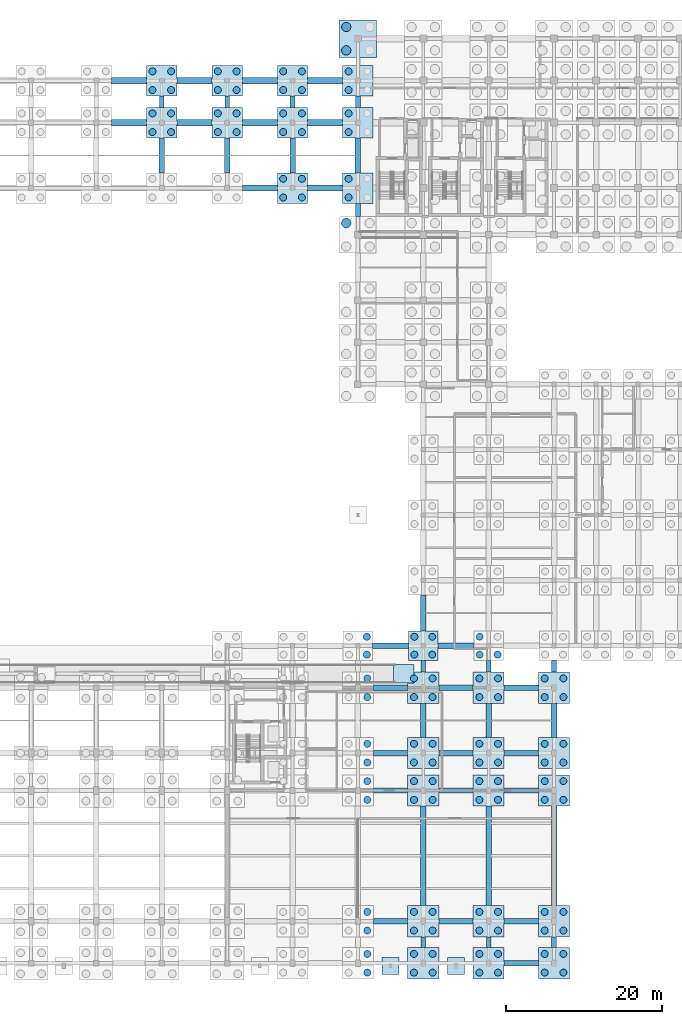
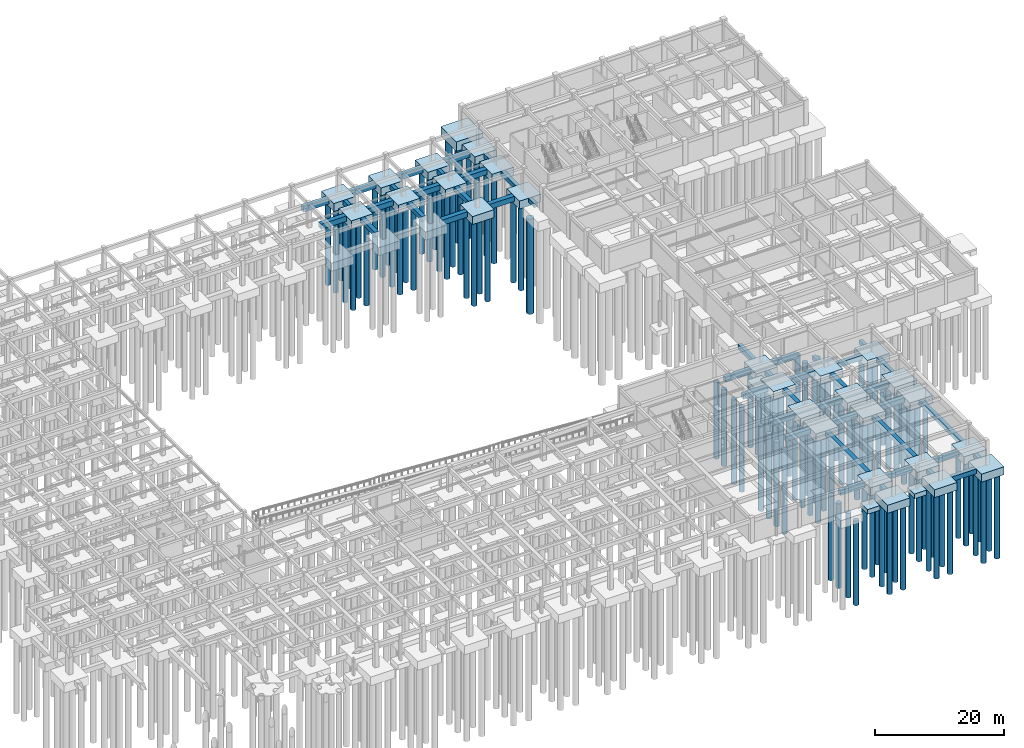
# One storey, part 7 of 49: 116 piles, 77 footings.
"""IFC4 building model written with IfcOpenShell, lengths in metres."""

import ifcopenshell
import ifcopenshell.guid

model = None  # the IFC model being written
_history = None  # IfcOwnerHistory: only IFC2X3 demands one
_inside = {}  # id of a spatial element -> (the spatial element, [elements in it])
_under = {}  # id of a project, library or spatial element -> (it, [spatial elements below it])
_declared = {}  # id of a project -> (the project, [libraries it declares])
_typed = {}  # id of a type object -> (the type object, [elements of that type])
_made_of = {}  # id of a material, layer set ... -> (it, [elements and type objects made of it])


def new_model(schema):
    """Start an empty IFC model of exactly this schema.

    Asked for "IFC4X3", IfcOpenShell would pick the latest addendum, in which some entities
    have other attributes; the version numbers below select the first issue.
    IFC2X3 requires an IfcOwnerHistory on every rooted entity: one is made here for all.
    """
    global model, _history
    if schema == "IFC4X3":
        model = ifcopenshell.file(schema_version=(4, 3, 0, 0))
    else:
        model = ifcopenshell.file(schema=schema)
    _inside.clear()
    _under.clear()
    _declared.clear()
    _typed.clear()
    _made_of.clear()
    _history = None
    if model.schema == "IFC2X3":
        org = make("IfcOrganization", Name="unknown")
        user = make(
            "IfcPersonAndOrganization",
            ThePerson=make("IfcPerson", FamilyName="unknown"),
            TheOrganization=org,
        )
        app = make(
            "IfcApplication",
            ApplicationDeveloper=org,
            Version="unknown",
            ApplicationFullName="unknown",
            ApplicationIdentifier="unknown",
        )
        _history = make(
            "IfcOwnerHistory",
            OwningUser=user,
            OwningApplication=app,
            ChangeAction="ADDED",
            CreationDate=0,
        )
    return model


def make(cls, **values):
    """One entity of the class cls with the attributes given. An attribute that is None is left unset."""
    return model.create_entity(
        cls, **{name: value for name, value in values.items() if value is not None}
    )


def rooted(cls, **values):
    """An entity with a GlobalId (a new one), such as an element, a storey or a relation."""
    return make(cls, GlobalId=ifcopenshell.guid.new(), OwnerHistory=_history, **values)


def si_unit(unit_type, name, prefix=None):
    """IfcSIUnit, for example si_unit("LENGTHUNIT", "METRE", prefix="MILLI")."""
    return make("IfcSIUnit", UnitType=unit_type, Prefix=prefix, Name=name)


def assignment(units):
    """IfcUnitAssignment: the units of a project."""
    return None if units is None else make("IfcUnitAssignment", Units=units)


def point(xyz):
    """IfcCartesianPoint."""
    return None if xyz is None else make("IfcCartesianPoint", Coordinates=xyz)


def direction(xyz):
    """IfcDirection."""
    return None if xyz is None else make("IfcDirection", DirectionRatios=xyz)


def frame(location, z_axis=None, x_axis=None):
    """IfcAxis2Placement3D, a coordinate frame: its origin and axes. An axis left out is left unset."""
    return make(
        "IfcAxis2Placement3D",
        Location=point(location),
        Axis=direction(z_axis),
        RefDirection=direction(x_axis),
    )


def frame_2d(location, x_axis=None):
    """IfcAxis2Placement2D, a coordinate frame in the plane: its origin and x axis."""
    return make(
        "IfcAxis2Placement2D", Location=point(location), RefDirection=direction(x_axis)
    )


def origin():
    """The frame at (0, 0, 0) with its axes left unset."""
    return frame((0.0, 0.0, 0.0))


def origin_2d():
    """The frame at (0, 0) in the plane with its x axis left unset."""
    return frame_2d((0.0, 0.0))


def place(relative_to, where):
    """IfcLocalPlacement: puts the frame where relative to a parent placement (None: the world)."""
    return make(
        "IfcLocalPlacement", PlacementRelTo=relative_to, RelativePlacement=where
    )


def context(
    kind, dimensions, precision=None, world=None, true_north=None, identifier=None
):
    """IfcGeometricRepresentationContext, for example the 3D "Model" context."""
    return make(
        "IfcGeometricRepresentationContext",
        ContextIdentifier=identifier,
        ContextType=kind,
        CoordinateSpaceDimension=dimensions,
        Precision=precision,
        WorldCoordinateSystem=world,
        TrueNorth=true_north,
    )


def subcontext(parent, identifier, kind, view, scale=None):
    """IfcGeometricRepresentationSubContext, for example "Body" below "Model"."""
    return make(
        "IfcGeometricRepresentationSubContext",
        ContextIdentifier=identifier,
        ContextType=kind,
        ParentContext=parent,
        TargetScale=scale,
        TargetView=view,
    )


def project(units=None, contexts=None):
    """IfcProject with its units and contexts."""
    return rooted(
        "IfcProject",
        Name="project",
        RepresentationContexts=contexts,
        UnitsInContext=assignment(units),
    )


def spatial(cls, under=None, at=None, **own):
    """A site, building, storey or space (cls), placed at a placement, below another one or the project."""
    s = rooted(cls, ObjectPlacement=at, **own)
    if under is not None:
        _under.setdefault(under.id(), (under, []))[1].append(s)
    return s


def profile(cls, at=None, kind="AREA", **sizes):
    """A parametric profile (cls). Its sizes go by their IFC names, for example OverallWidth=200.0."""
    return make(cls, ProfileType=kind, Position=at, **sizes)


def rectangle(**sizes):
    """IfcRectangleProfileDef."""
    return profile("IfcRectangleProfileDef", **sizes)


def circle(**sizes):
    """IfcCircleProfileDef."""
    return profile("IfcCircleProfileDef", **sizes)


def extrude(swept, where, along, depth):
    """IfcExtrudedAreaSolid: the profile swept, set in the frame where, extruded along a direction by depth."""
    return make(
        "IfcExtrudedAreaSolid",
        SweptArea=swept,
        Position=where,
        ExtrudedDirection=direction(along),
        Depth=depth,
    )


def shape(context_of_items, identifier, shape_type, items):
    """IfcShapeRepresentation: the items that make up one representation, for example the "Body"."""
    return make(
        "IfcShapeRepresentation",
        ContextOfItems=context_of_items,
        RepresentationIdentifier=identifier,
        RepresentationType=shape_type,
        Items=items,
    )


def material(Name=None, Category=None):
    """IfcMaterial."""
    return make("IfcMaterial", Name=Name, Category=Category)


def material_profile(
    of_material, cross_section, Name=None, Category=None, Priority=None
):
    """IfcMaterialProfile: a cross section and its material."""
    return make(
        "IfcMaterialProfile",
        Name=Name,
        Material=of_material,
        Profile=cross_section,
        Priority=Priority,
        Category=Category,
    )


def profile_set(profiles, Name=None, composite=None):
    """IfcMaterialProfileSet."""
    return make(
        "IfcMaterialProfileSet",
        Name=Name,
        MaterialProfiles=profiles,
        CompositeProfile=composite,
    )


def made_of(thing, what):
    """Note that an element or type object is made of a material, layer set ...; save() writes the relation."""
    if what is not None:
        _made_of.setdefault(what.id(), (what, []))[1].append(thing)
    return thing


def type_object(cls, material=None, **own):
    """A type object (cls), such as IfcWallType, which elements share."""
    return made_of(rooted(cls, **own), material)


def element(
    cls,
    number,
    at=None,
    inside=None,
    cuts=None,
    type_object=None,
    material=None,
    context=None,
    identifier="Body",
    shape_type=None,
    held_by="IfcProductDefinitionShape",
    body=None,
    shapes=None,
    **own,
):
    """One element of the class cls, such as IfcWall. Its Tag is "e" and its number.

    at: its placement. inside: the storey or other place that contains it. cuts: it is an
    opening in that element (IfcRelVoidsElement). A single representation is given by context,
    identifier, shape_type and body (its items); several are given by shapes. held_by: the class
    of the entity that holds the representations. save() writes the other relations.
    """
    e = rooted(cls, Tag="e%d" % number, ObjectPlacement=at, **own)
    if body is not None:
        shapes = [shape(context, identifier, shape_type, body)]
    if shapes is not None:
        e.Representation = make(held_by, Representations=shapes)
    if inside is not None:
        _inside.setdefault(inside.id(), (inside, []))[1].append(e)
    if cuts is not None:
        rooted(
            "IfcRelVoidsElement", RelatingBuildingElement=cuts, RelatedOpeningElement=e
        )
    if type_object is not None:
        _typed.setdefault(type_object.id(), (type_object, []))[1].append(e)
    return made_of(e, material)


def aggregate(whole, parts):
    """IfcRelAggregates: a whole, such as a stair, and the parts it consists of."""
    return rooted("IfcRelAggregates", RelatingObject=whole, RelatedObjects=parts)


def save(model, path):
    """Write the relations noted so far, then the file.

    IfcRelAggregates (storeys below a building ...), IfcRelContainedInSpatialStructure (elements
    in a storey), IfcRelDefinesByType, IfcRelAssociatesMaterial and IfcRelDeclares: one each for
    every whole, place, type object, material and project.
    """
    for whole, parts in _under.values():
        aggregate(whole, parts)
    for where, things in _inside.values():
        rooted(
            "IfcRelContainedInSpatialStructure",
            RelatedElements=things,
            RelatingStructure=where,
        )
    for kind, things in _typed.values():
        rooted("IfcRelDefinesByType", RelatedObjects=things, RelatingType=kind)
    for what, things in _made_of.values():
        rooted("IfcRelAssociatesMaterial", RelatedObjects=things, RelatingMaterial=what)
    for by, libraries in _declared.values():
        rooted("IfcRelDeclares", RelatingContext=by, RelatedDefinitions=libraries)
    model.write(path)


model = new_model("IFC4")

# Units and contexts
model_context = context("Model", 3, precision=1e-05, world=origin(), true_north=direction((0.0, 1.0)))
body_context = subcontext(model_context, "Body", "Model", "MODEL_VIEW")
ifc_project = project(units=[si_unit("LENGTHUNIT", "METRE"), si_unit("AREAUNIT", "SQUARE_METRE"), si_unit("VOLUMEUNIT", "CUBIC_METRE"), si_unit("PLANEANGLEUNIT", "RADIAN"), si_unit("MASSUNIT", "GRAM", prefix="KILO")], contexts=[model_context])

# Site, building, storey
site_placement = place(None, origin())
site = spatial("IfcSite", under=ifc_project, at=site_placement, CompositionType="ELEMENT")
building_placement = place(site_placement, origin())
building = spatial("IfcBuilding", under=site, at=building_placement, Name="Krzemoval Escarpment Law Courts", CompositionType="ELEMENT")
storey_placement = place(building_placement, frame((0.0, 0.0, -4.800048828125)))
storey = spatial("IfcBuildingStorey", under=building, at=storey_placement, Name="B1", CompositionType="ELEMENT", Elevation=-4.800048828125)

# Footings
ifc_material_1 = material(Name="Concrete C35/45", Category="concrete")
footing_type_1 = type_object("IfcFootingType", Name="CAP-4P-3800x3800x1450", PredefinedType="PILE_CAP", material=ifc_material_1)
footing_1_placement = place(storey_placement, frame((134.39990234375, 40.800048828125, -1.44970703125), z_axis=(0.0, 0.0, 1.0), x_axis=(1.0, 0.0, 0.0)))
element("IfcFooting", 1, at=footing_1_placement, inside=storey, type_object=footing_type_1, Name="Pile Cap FC-188", PredefinedType="PILE_CAP", context=body_context, shape_type="SweptSolid", body=[
    extrude(rectangle(XDim=3.800048828125, YDim=3.800048828125, at=origin_2d()), origin(), (0.0, 0.0, 1.0), 1.449951171875),
])
ifc_material_2 = material(Name="Concrete C35/45", Category="concrete")
footing_type_2 = type_object("IfcFootingType", Name="CAP-4P-3900x3900x1500", PredefinedType="PILE_CAP", material=ifc_material_2)
for number, where, z_axis, x_axis, name in (
    (2, (100.800048828125, 108.0, -1.5), (0.0, 0.0, 1.0), (1.0, 0.0, 0.0), "Pile Cap FC-149"),
    (3, (100.800048828125, 113.39990234375, -1.5), (0.0, 0.0, 1.0), (1.0, 0.0, 0.0), "Pile Cap FC-150"),
    (4, (109.199951171875, 108.0, -1.5), (0.0, 0.0, 1.0), (1.0, 0.0, 0.0), "Pile Cap FC-158"),
    (5, (109.199951171875, 113.39990234375, -1.5), (0.0, 0.0, 1.0), (1.0, 0.0, 0.0), "Pile Cap FC-159"),
    (6, (117.60009765625, 99.60009765625, -1.5), (0.0, 0.0, 1.0), (1.0, 0.0, 0.0), "Pile Cap FC-166"),
    (7, (117.60009765625, 108.0, -1.5), (0.0, 0.0, 1.0), (1.0, 0.0, 0.0), "Pile Cap FC-167"),
    (8, (117.60009765625, 113.39990234375, -1.5), (0.0, 0.0, 1.0), (1.0, 0.0, 0.0), "Pile Cap FC-168"),
    (9, (126.0, 99.60009765625, -1.5), (0.0, 0.0, 1.0), (1.0, 0.0, 0.0), "Pile Cap FC-179"),
    (10, (126.0, 108.0, -1.5), (0.0, 0.0, 1.0), (1.0, 0.0, 0.0), "Pile Cap FC-180"),
    (11, (126.0, 113.39990234375, -1.5), (0.0, 0.0, 1.0), (1.0, 0.0, 0.0), "Pile Cap FC-181"),
):
    element("IfcFooting", number, at=place(storey_placement, frame(where, z_axis=z_axis, x_axis=x_axis)), inside=storey, type_object=footing_type_2, Name=name, PredefinedType="PILE_CAP", context=body_context, shape_type="SweptSolid", body=[
        extrude(rectangle(XDim=3.89990234375, YDim=3.89990234375, at=origin_2d()), origin(), (0.0, 0.0, 1.0), 1.5),
    ])
ifc_material_3 = material(Name="Concrete C35/45", Category="concrete")
footing_type_3 = type_object("IfcFootingType", Name="CAP-4P-4000x4000x1550", PredefinedType="PILE_CAP", material=ifc_material_3)
for number, where, z_axis, x_axis, name in (
    (12, (134.39990234375, 0.0, -1.5), (0.0, 0.0, 1.0), (1.0, 0.0, 0.0), "Pile Cap FC-183"),
    (13, (134.39990234375, 5.39990234375, -1.5), (0.0, 0.0, 1.0), (1.0, 0.0, 0.0), "Pile Cap FC-184"),
    (14, (134.39990234375, 22.199951171875, -1.5), (0.0, 0.0, 1.0), (1.0, 0.0, 0.0), "Pile Cap FC-185"),
    (15, (134.39990234375, 27.0, -1.5), (0.0, 0.0, 1.0), (1.0, 0.0, 0.0), "Pile Cap FC-186"),
    (16, (134.39990234375, 35.39990234375, -1.5), (0.0, 0.0, 1.0), (1.0, 0.0, 0.0), "Pile Cap FC-187"),
    (17, (142.800048828125, 0.0, -1.5), (0.0, 0.0, 1.0), (1.0, 0.0, 0.0), "Pile Cap FC-200"),
    (18, (142.800048828125, 5.39990234375, -1.5), (0.0, 0.0, 1.0), (1.0, 0.0, 0.0), "Pile Cap FC-201"),
    (19, (142.800048828125, 22.199951171875, -1.5), (0.0, 0.0, 1.0), (1.0, 0.0, 0.0), "Pile Cap FC-202"),
    (20, (142.800048828125, 27.0, -1.5), (0.0, 0.0, 1.0), (1.0, 0.0, 0.0), "Pile Cap FC-203"),
    (21, (142.800048828125, 35.39990234375, -1.5), (0.0, 0.0, 1.0), (1.0, 0.0, 0.0), "Pile Cap FC-204"),
    (22, (151.199951171875, 0.0, -1.5), (0.0, 0.0, 1.0), (1.0, 0.0, 0.0), "Pile Cap FC-217"),
    (23, (151.199951171875, 5.39990234375, -1.5), (0.0, 0.0, 1.0), (1.0, 0.0, 0.0), "Pile Cap FC-218"),
    (24, (151.199951171875, 22.199951171875, -1.5), (0.0, 0.0, 1.0), (1.0, 0.0, 0.0), "Pile Cap FC-219"),
    (25, (151.199951171875, 27.0, -1.5), (0.0, 0.0, 1.0), (1.0, 0.0, 0.0), "Pile Cap FC-220"),
    (26, (151.199951171875, 35.39990234375, -1.5), (0.0, 0.0, 1.0), (1.0, 0.0, 0.0), "Pile Cap FC-221"),
):
    element("IfcFooting", number, at=place(storey_placement, frame(where, z_axis=z_axis, x_axis=x_axis)), inside=storey, type_object=footing_type_3, Name=name, PredefinedType="PILE_CAP", context=body_context, shape_type="SweptSolid", body=[
        extrude(rectangle(XDim=4.0, YDim=4.0, at=origin_2d()), origin(), (0.0, 0.0, 1.0), 1.5),
    ])
ifc_material_4 = material(Name="Concrete C35/45", Category="concrete")
footing_type_4 = type_object("IfcFootingType", Name="CAP-4P-4800x4800x1800", PredefinedType="PILE_CAP", material=ifc_material_4)
footing_2_placement = place(storey_placement, frame((126.0, 118.800048828125, -1.7998046875), z_axis=(0.0, 0.0, 1.0), x_axis=(1.0, 0.0, 0.0)))
element("IfcFooting", 27, at=footing_2_placement, inside=storey, type_object=footing_type_4, Name="Pile Cap FC-182", PredefinedType="PILE_CAP", context=body_context, shape_type="SweptSolid", body=[
    extrude(rectangle(XDim=4.800048828125, YDim=4.800048828125, at=origin_2d()), origin(), (0.0, 0.0, 1.0), 1.800048828125),
])
ifc_material_5 = material(Name="Concrete C35/45", Category="concrete")
footing_type_5 = type_object("IfcFootingType", Name="GB-600x800-L1400", PredefinedType="FOOTING_BEAM", material=ifc_material_5)
for number, where, z_axis, x_axis, name in (
    (28, (134.39990234375, 2.699951171875, -0.7998046875), (0.0, 0.0, 1.0), (0.0, 1.0, 0.0), "Ground Tie Beam GB-355"),
    (29, (142.800048828125, 2.699951171875, -0.7998046875), (0.0, 0.0, 1.0), (0.0, 1.0, 0.0), "Ground Tie Beam GB-365"),
    (30, (151.199951171875, 2.699951171875, -0.7998046875), (0.0, 0.0, 1.0), (0.0, 1.0, 0.0), "Ground Tie Beam GB-375"),
):
    element("IfcFooting", number, at=place(storey_placement, frame(where, z_axis=z_axis, x_axis=x_axis)), inside=storey, type_object=footing_type_5, Name=name, PredefinedType="FOOTING_BEAM", context=body_context, shape_type="SweptSolid", body=[
        extrude(rectangle(XDim=1.39990234375, YDim=0.60009765625, at=origin_2d()), origin(), (0.0, 0.0, 1.0), 0.800048828125),
    ])
ifc_material_6 = material(Name="Concrete C35/45", Category="concrete")
footing_type_6 = type_object("IfcFootingType", Name="GB-600x800-L1500", PredefinedType="FOOTING_BEAM", material=ifc_material_6)
for number, where, z_axis, x_axis, name in (
    (31, (100.800048828125, 110.699951171875, -0.7998046875), (0.0, 0.0, 1.0), (0.0, 1.0, 0.0), "Ground Tie Beam GB-334"),
    (32, (109.199951171875, 110.699951171875, -0.7998046875), (0.0, 0.0, 1.0), (0.0, 1.0, 0.0), "Ground Tie Beam GB-340"),
    (33, (117.60009765625, 110.699951171875, -0.7998046875), (0.0, 0.0, 1.0), (0.0, 1.0, 0.0), "Ground Tie Beam GB-346"),
    (34, (126.0, 110.699951171875, -0.7998046875), (0.0, 0.0, 1.0), (0.0, 1.0, 0.0), "Ground Tie Beam GB-354"),
    (35, (134.39990234375, 38.14990234375, -0.7998046875), (0.0, 0.0, 1.0), (0.0, 1.0, 0.0), "Ground Tie Beam GB-358"),
    (36, (142.800048828125, 38.14990234375, -0.7998046875), (0.0, 0.0, 1.0), (0.0, 1.0, 0.0), "Ground Tie Beam GB-368"),
    (37, (151.199951171875, 38.14990234375, -0.7998046875), (0.0, 0.0, 1.0), (0.0, 1.0, 0.0), "Ground Tie Beam GB-378"),
):
    element("IfcFooting", number, at=place(storey_placement, frame(where, z_axis=z_axis, x_axis=x_axis)), inside=storey, type_object=footing_type_6, Name=name, PredefinedType="FOOTING_BEAM", context=body_context, shape_type="SweptSolid", body=[
        extrude(rectangle(XDim=1.5, YDim=0.60009765625, at=origin_2d()), origin(), (0.0, 0.0, 1.0), 0.800048828125),
    ])
ifc_material_7 = material(Name="Concrete C35/45", Category="concrete")
footing_type_7 = type_object("IfcFootingType", Name="GB-600x800-L1700", PredefinedType="FOOTING_BEAM", material=ifc_material_7)
footing_3_placement = place(storey_placement, frame((126.0, 96.800048828125, -0.7998046875), z_axis=(0.0, 0.0, 1.0), x_axis=(0.0, 1.0, 0.0)))
element("IfcFooting", 38, at=footing_3_placement, inside=storey, type_object=footing_type_7, Name="Ground Tie Beam GB-352", PredefinedType="FOOTING_BEAM", context=body_context, shape_type="SweptSolid", body=[
    extrude(rectangle(XDim=1.699951171875, YDim=0.60009765625, at=origin_2d()), origin(), (0.0, 0.0, 1.0), 0.800048828125),
])
ifc_material_8 = material(Name="Concrete C35/45", Category="concrete")
footing_type_8 = type_object("IfcFootingType", Name="GB-700x900-L12800", PredefinedType="FOOTING_BEAM", material=ifc_material_8)
for number, where, z_axis, x_axis, name in (
    (39, (134.39990234375, 13.800048828125, -0.89990234375), (0.0, 0.0, 1.0), (0.0, 1.0, 0.0), "Ground Tie Beam GB-356"),
    (40, (142.800048828125, 13.800048828125, -0.89990234375), (0.0, 0.0, 1.0), (0.0, 1.0, 0.0), "Ground Tie Beam GB-366"),
    (41, (151.199951171875, 13.800048828125, -0.89990234375), (0.0, 0.0, 1.0), (0.0, 1.0, 0.0), "Ground Tie Beam GB-376"),
):
    element("IfcFooting", number, at=place(storey_placement, frame(where, z_axis=z_axis, x_axis=x_axis)), inside=storey, type_object=footing_type_8, Name=name, PredefinedType="FOOTING_BEAM", context=body_context, shape_type="SweptSolid", body=[
        extrude(rectangle(XDim=12.800048828125, YDim=0.699951171875, at=origin_2d()), origin(), (0.0, 0.0, 1.0), 0.89990234375),
    ])
ifc_material_9 = material(Name="Concrete C35/45", Category="concrete")
footing_type_9 = type_object("IfcFootingType", Name="GB-700x900-L4400", PredefinedType="FOOTING_BEAM", material=ifc_material_9)
for number, where, z_axis, x_axis, name in (
    (42, (147.0, 0.0, -0.89990234375), (0.0, 0.0, 1.0), (1.0, 0.0, 0.0), "Ground Tie Beam GB-006"),
    (43, (130.199951171875, 5.39990234375, -0.89990234375), (0.0, 0.0, 1.0), (1.0, 0.0, 0.0), "Ground Tie Beam GB-022"),
    (44, (138.60009765625, 5.39990234375, -0.89990234375), (0.0, 0.0, 1.0), (1.0, 0.0, 0.0), "Ground Tie Beam GB-023"),
    (45, (147.0, 5.39990234375, -0.89990234375), (0.0, 0.0, 1.0), (1.0, 0.0, 0.0), "Ground Tie Beam GB-024"),
    (46, (130.199951171875, 22.199951171875, -0.89990234375), (0.0, 0.0, 1.0), (1.0, 0.0, 0.0), "Ground Tie Beam GB-040"),
    (47, (138.60009765625, 22.199951171875, -0.89990234375), (0.0, 0.0, 1.0), (1.0, 0.0, 0.0), "Ground Tie Beam GB-041"),
    (48, (147.0, 22.199951171875, -0.89990234375), (0.0, 0.0, 1.0), (1.0, 0.0, 0.0), "Ground Tie Beam GB-042"),
    (49, (130.199951171875, 27.0, -0.89990234375), (0.0, 0.0, 1.0), (1.0, 0.0, 0.0), "Ground Tie Beam GB-058"),
    (50, (138.60009765625, 27.0, -0.89990234375), (0.0, 0.0, 1.0), (1.0, 0.0, 0.0), "Ground Tie Beam GB-059"),
    (51, (147.0, 27.0, -0.89990234375), (0.0, 0.0, 1.0), (1.0, 0.0, 0.0), "Ground Tie Beam GB-060"),
    (52, (130.199951171875, 35.39990234375, -0.89990234375), (0.0, 0.0, 1.0), (1.0, 0.0, 0.0), "Ground Tie Beam GB-076"),
    (53, (138.60009765625, 35.39990234375, -0.89990234375), (0.0, 0.0, 1.0), (1.0, 0.0, 0.0), "Ground Tie Beam GB-077"),
    (54, (147.0, 35.39990234375, -0.89990234375), (0.0, 0.0, 1.0), (1.0, 0.0, 0.0), "Ground Tie Beam GB-078"),
    (55, (134.39990234375, 31.199951171875, -0.89990234375), (0.0, 0.0, 1.0), (0.0, 1.0, 0.0), "Ground Tie Beam GB-357"),
    (56, (142.800048828125, 31.199951171875, -0.89990234375), (0.0, 0.0, 1.0), (0.0, 1.0, 0.0), "Ground Tie Beam GB-367"),
    (57, (151.199951171875, 31.199951171875, -0.89990234375), (0.0, 0.0, 1.0), (0.0, 1.0, 0.0), "Ground Tie Beam GB-377"),
):
    element("IfcFooting", number, at=place(storey_placement, frame(where, z_axis=z_axis, x_axis=x_axis)), inside=storey, type_object=footing_type_9, Name=name, PredefinedType="FOOTING_BEAM", context=body_context, shape_type="SweptSolid", body=[
        extrude(rectangle(XDim=4.39990234375, YDim=0.699951171875, at=origin_2d()), origin(), (0.0, 0.0, 1.0), 0.89990234375),
    ])
ifc_material_10 = material(Name="Concrete C35/45", Category="concrete")
footing_type_10 = type_object("IfcFootingType", Name="GB-700x900-L4500", PredefinedType="FOOTING_BEAM", material=ifc_material_10)
for number, where, z_axis, x_axis, name in (
    (58, (100.800048828125, 103.800048828125, -0.89990234375), (0.0, 0.0, 1.0), (0.0, 1.0, 0.0), "Ground Tie Beam GB-333"),
    (59, (109.199951171875, 103.800048828125, -0.89990234375), (0.0, 0.0, 1.0), (0.0, 1.0, 0.0), "Ground Tie Beam GB-339"),
    (60, (117.60009765625, 103.800048828125, -0.89990234375), (0.0, 0.0, 1.0), (0.0, 1.0, 0.0), "Ground Tie Beam GB-345"),
    (61, (126.0, 103.800048828125, -0.89990234375), (0.0, 0.0, 1.0), (0.0, 1.0, 0.0), "Ground Tie Beam GB-353"),
):
    element("IfcFooting", number, at=place(storey_placement, frame(where, z_axis=z_axis, x_axis=x_axis)), inside=storey, type_object=footing_type_10, Name=name, PredefinedType="FOOTING_BEAM", context=body_context, shape_type="SweptSolid", body=[
        extrude(rectangle(XDim=4.5, YDim=0.699951171875, at=origin_2d()), origin(), (0.0, 0.0, 1.0), 0.89990234375),
    ])
ifc_material_11 = material(Name="Concrete C35/45", Category="concrete")
footing_type_11 = type_object("IfcFootingType", Name="GB-700x900-L4600", PredefinedType="FOOTING_BEAM", material=ifc_material_11)
for number, where, z_axis, x_axis, name in (
    (62, (130.199951171875, 40.800048828125, -0.89990234375), (0.0, 0.0, 1.0), (1.0, 0.0, 0.0), "Ground Tie Beam GB-085"),
    (63, (138.60009765625, 40.800048828125, -0.89990234375), (0.0, 0.0, 1.0), (1.0, 0.0, 0.0), "Ground Tie Beam GB-086"),
    (64, (134.39990234375, 45.0, -0.89990234375), (0.0, 0.0, 1.0), (0.0, 1.0, 0.0), "Ground Tie Beam GB-359"),
):
    element("IfcFooting", number, at=place(storey_placement, frame(where, z_axis=z_axis, x_axis=x_axis)), inside=storey, type_object=footing_type_11, Name=name, PredefinedType="FOOTING_BEAM", context=body_context, shape_type="SweptSolid", body=[
        extrude(rectangle(XDim=4.60009765625, YDim=0.699951171875, at=origin_2d()), origin(), (0.0, 0.0, 1.0), 0.89990234375),
    ])
ifc_material_12 = material(Name="Concrete C35/45", Category="concrete")
footing_type_12 = type_object("IfcFootingType", Name="GB-800x1000-L4500", PredefinedType="FOOTING_BEAM", material=ifc_material_12)
for number, where, z_axis, x_axis, name in (
    (65, (113.39990234375, 99.60009765625, -1.0), (0.0, 0.0, 1.0), (1.0, 0.0, 0.0), "Ground Tie Beam GB-165"),
    (66, (121.800048828125, 99.60009765625, -1.0), (0.0, 0.0, 1.0), (1.0, 0.0, 0.0), "Ground Tie Beam GB-166"),
    (67, (96.60009765625, 108.0, -1.0), (0.0, 0.0, 1.0), (1.0, 0.0, 0.0), "Ground Tie Beam GB-181"),
    (68, (105.0, 108.0, -1.0), (0.0, 0.0, 1.0), (1.0, 0.0, 0.0), "Ground Tie Beam GB-182"),
    (69, (113.39990234375, 108.0, -1.0), (0.0, 0.0, 1.0), (1.0, 0.0, 0.0), "Ground Tie Beam GB-183"),
    (70, (121.800048828125, 108.0, -1.0), (0.0, 0.0, 1.0), (1.0, 0.0, 0.0), "Ground Tie Beam GB-184"),
    (71, (96.60009765625, 113.39990234375, -1.0), (0.0, 0.0, 1.0), (1.0, 0.0, 0.0), "Ground Tie Beam GB-199"),
    (72, (105.0, 113.39990234375, -1.0), (0.0, 0.0, 1.0), (1.0, 0.0, 0.0), "Ground Tie Beam GB-200"),
    (73, (113.39990234375, 113.39990234375, -1.0), (0.0, 0.0, 1.0), (1.0, 0.0, 0.0), "Ground Tie Beam GB-201"),
    (74, (121.800048828125, 113.39990234375, -1.0), (0.0, 0.0, 1.0), (1.0, 0.0, 0.0), "Ground Tie Beam GB-202"),
):
    element("IfcFooting", number, at=place(storey_placement, frame(where, z_axis=z_axis, x_axis=x_axis)), inside=storey, type_object=footing_type_12, Name=name, PredefinedType="FOOTING_BEAM", context=body_context, shape_type="SweptSolid", body=[
        extrude(rectangle(XDim=4.5, YDim=0.800048828125, at=origin_2d()), origin(), (0.0, 0.0, 1.0), 1.0),
    ])
ifc_material_13 = material(Name="Concrete C35/45", Category="concrete")
footing_type_13 = type_object("IfcFootingType", Name="PAD-2200x2200x900", PredefinedType="PAD_FOOTING", material=ifc_material_13)
for number, where, z_axis, x_axis, name in (
    (75, (130.199951171875, -0.35009765625, -0.89990234375), (0.0, 0.0, 1.0), (1.0, 0.0, 0.0), "Pad Footing PF-018"),
    (76, (138.60009765625, -0.35009765625, -0.89990234375), (0.0, 0.0, 1.0), (1.0, 0.0, 0.0), "Pad Footing PF-019"),
):
    element("IfcFooting", number, at=place(storey_placement, frame(where, z_axis=z_axis, x_axis=x_axis)), inside=storey, type_object=footing_type_13, Name=name, PredefinedType="PAD_FOOTING", context=body_context, shape_type="SweptSolid", body=[
        extrude(rectangle(XDim=2.199951171875, YDim=2.199951171875, at=origin_2d()), origin(), (0.0, 0.0, 1.0), 0.89990234375),
    ])

# Piles
ifc_material_14 = material(Name="Concrete C35/45", Category="concrete")
ifc_material_profile_1 = material_profile(ifc_material_14, circle(Radius=0.60009765625, at=origin_2d()), Name="PILE D1200")
ifc_profile_set_1 = profile_set([ifc_material_profile_1], Name="Concrete C35/45")
pile_type_1 = type_object("IfcPileType", Name="PILE-D1200-18M", PredefinedType="BORED", material=ifc_profile_set_1)
for number, where, z_axis, x_axis, name in (
    (77, (124.5, 95.10009765625, -1.599853515625), (0.0, 0.0, -1.0), (1.0, 0.0, 0.0), "Bored Pile FP-0653"),
    (78, (124.5, 117.300048828125, -1.64990234375), (0.0, 0.0, -1.0), (1.0, 0.0, 0.0), "Bored Pile FP-0667"),
    (79, (124.5, 120.300048828125, -1.64990234375), (0.0, 0.0, -1.0), (1.0, 0.0, 0.0), "Bored Pile FP-0669"),
):
    element("IfcPile", number, at=place(storey_placement, frame(where, z_axis=z_axis, x_axis=x_axis)), inside=storey, type_object=pile_type_1, Name=name, PredefinedType="BORED", context=body_context, shape_type="SweptSolid", body=[
        extrude(circle(Radius=0.60009765625, at=origin_2d()), origin(), (0.0, 0.0, 1.0), 18.0),
    ])
ifc_material_15 = material(Name="Concrete C35/45", Category="concrete")
ifc_material_profile_2 = material_profile(ifc_material_15, circle(Radius=0.449951171875, at=origin_2d()), Name="PILE D900")
ifc_profile_set_2 = profile_set([ifc_material_profile_2], Name="Concrete C35/45")
pile_type_2 = type_object("IfcPileType", Name="PILE-D750-14M", PredefinedType="BORED", material=ifc_profile_set_2)
for number, where, z_axis, x_axis, name in (
    (80, (127.14990234375, 39.64990234375, -1.300048828125), (0.0, 0.0, -1.0), (1.0, 0.0, 0.0), "Bored Pile FP-0636"),
    (81, (127.14990234375, 41.949951171875, -1.300048828125), (0.0, 0.0, -1.0), (1.0, 0.0, 0.0), "Bored Pile FP-0638"),
    (82, (133.25, 39.64990234375, -1.300048828125), (0.0, 0.0, -1.0), (1.0, 0.0, 0.0), "Bored Pile FP-0691"),
    (83, (135.550048828125, 39.64990234375, -1.300048828125), (0.0, 0.0, -1.0), (1.0, 0.0, 0.0), "Bored Pile FP-0692"),
    (84, (133.25, 41.949951171875, -1.300048828125), (0.0, 0.0, -1.0), (1.0, 0.0, 0.0), "Bored Pile FP-0693"),
    (85, (135.550048828125, 41.949951171875, -1.300048828125), (0.0, 0.0, -1.0), (1.0, 0.0, 0.0), "Bored Pile FP-0694"),
    (86, (141.64990234375, 39.64990234375, -1.300048828125), (0.0, 0.0, -1.0), (1.0, 0.0, 0.0), "Bored Pile FP-0759"),
    (87, (143.949951171875, 39.64990234375, -1.300048828125), (0.0, 0.0, -1.0), (1.0, 0.0, 0.0), "Bored Pile FP-0760"),
    (88, (141.64990234375, 41.949951171875, -1.300048828125), (0.0, 0.0, -1.0), (1.0, 0.0, 0.0), "Bored Pile FP-0761"),
):
    element("IfcPile", number, at=place(storey_placement, frame(where, z_axis=z_axis, x_axis=x_axis)), inside=storey, type_object=pile_type_2, Name=name, PredefinedType="BORED", context=body_context, shape_type="SweptSolid", body=[
        extrude(circle(Radius=0.449951171875, at=origin_2d()), origin(), (0.0, 0.0, 1.0), 14.5),
    ])
ifc_material_16 = material(Name="Concrete C35/45", Category="concrete")
ifc_material_profile_3 = material_profile(ifc_material_16, circle(Radius=0.449951171875, at=origin_2d()), Name="PILE D900")
ifc_profile_set_3 = profile_set([ifc_material_profile_3], Name="Concrete C35/45")
pile_type_3 = type_object("IfcPileType", Name="PILE-D900-16M", PredefinedType="BORED", material=ifc_profile_set_3)
for number, where, z_axis, x_axis, name in (
    (89, (99.60009765625, 106.800048828125, -1.349853515625), (0.0, 0.0, -1.0), (1.0, 0.0, 0.0), "Bored Pile FP-0537"),
    (90, (102.0, 106.800048828125, -1.349853515625), (0.0, 0.0, -1.0), (1.0, 0.0, 0.0), "Bored Pile FP-0538"),
    (91, (99.60009765625, 109.199951171875, -1.349853515625), (0.0, 0.0, -1.0), (1.0, 0.0, 0.0), "Bored Pile FP-0539"),
    (92, (102.0, 109.199951171875, -1.349853515625), (0.0, 0.0, -1.0), (1.0, 0.0, 0.0), "Bored Pile FP-0540"),
    (93, (99.60009765625, 112.199951171875, -1.349853515625), (0.0, 0.0, -1.0), (1.0, 0.0, 0.0), "Bored Pile FP-0541"),
    (94, (102.0, 112.199951171875, -1.349853515625), (0.0, 0.0, -1.0), (1.0, 0.0, 0.0), "Bored Pile FP-0542"),
    (95, (99.60009765625, 114.60009765625, -1.349853515625), (0.0, 0.0, -1.0), (1.0, 0.0, 0.0), "Bored Pile FP-0543"),
    (96, (102.0, 114.60009765625, -1.349853515625), (0.0, 0.0, -1.0), (1.0, 0.0, 0.0), "Bored Pile FP-0544"),
    (97, (108.0, 106.800048828125, -1.349853515625), (0.0, 0.0, -1.0), (1.0, 0.0, 0.0), "Bored Pile FP-0571"),
    (98, (110.39990234375, 106.800048828125, -1.349853515625), (0.0, 0.0, -1.0), (1.0, 0.0, 0.0), "Bored Pile FP-0572"),
    (99, (108.0, 109.199951171875, -1.349853515625), (0.0, 0.0, -1.0), (1.0, 0.0, 0.0), "Bored Pile FP-0573"),
    (100, (110.39990234375, 109.199951171875, -1.349853515625), (0.0, 0.0, -1.0), (1.0, 0.0, 0.0), "Bored Pile FP-0574"),
    (101, (108.0, 112.199951171875, -1.349853515625), (0.0, 0.0, -1.0), (1.0, 0.0, 0.0), "Bored Pile FP-0575"),
    (102, (110.39990234375, 112.199951171875, -1.349853515625), (0.0, 0.0, -1.0), (1.0, 0.0, 0.0), "Bored Pile FP-0576"),
    (103, (108.0, 114.60009765625, -1.349853515625), (0.0, 0.0, -1.0), (1.0, 0.0, 0.0), "Bored Pile FP-0577"),
    (104, (110.39990234375, 114.60009765625, -1.349853515625), (0.0, 0.0, -1.0), (1.0, 0.0, 0.0), "Bored Pile FP-0578"),
    (105, (116.39990234375, 98.39990234375, -1.349853515625), (0.0, 0.0, -1.0), (1.0, 0.0, 0.0), "Bored Pile FP-0603"),
    (106, (118.800048828125, 98.39990234375, -1.349853515625), (0.0, 0.0, -1.0), (1.0, 0.0, 0.0), "Bored Pile FP-0604"),
    (107, (116.39990234375, 100.800048828125, -1.349853515625), (0.0, 0.0, -1.0), (1.0, 0.0, 0.0), "Bored Pile FP-0605"),
    (108, (118.800048828125, 100.800048828125, -1.349853515625), (0.0, 0.0, -1.0), (1.0, 0.0, 0.0), "Bored Pile FP-0606"),
    (109, (116.39990234375, 106.800048828125, -1.349853515625), (0.0, 0.0, -1.0), (1.0, 0.0, 0.0), "Bored Pile FP-0607"),
    (110, (118.800048828125, 106.800048828125, -1.349853515625), (0.0, 0.0, -1.0), (1.0, 0.0, 0.0), "Bored Pile FP-0608"),
    (111, (116.39990234375, 109.199951171875, -1.349853515625), (0.0, 0.0, -1.0), (1.0, 0.0, 0.0), "Bored Pile FP-0609"),
    (112, (118.800048828125, 109.199951171875, -1.349853515625), (0.0, 0.0, -1.0), (1.0, 0.0, 0.0), "Bored Pile FP-0610"),
    (113, (116.39990234375, 112.199951171875, -1.349853515625), (0.0, 0.0, -1.0), (1.0, 0.0, 0.0), "Bored Pile FP-0611"),
    (114, (118.800048828125, 112.199951171875, -1.349853515625), (0.0, 0.0, -1.0), (1.0, 0.0, 0.0), "Bored Pile FP-0612"),
    (115, (116.39990234375, 114.60009765625, -1.349853515625), (0.0, 0.0, -1.0), (1.0, 0.0, 0.0), "Bored Pile FP-0613"),
    (116, (118.800048828125, 114.60009765625, -1.349853515625), (0.0, 0.0, -1.0), (1.0, 0.0, 0.0), "Bored Pile FP-0614"),
    (117, (127.199951171875, -1.199951171875, -1.349853515625), (0.0, 0.0, -1.0), (1.0, 0.0, 0.0), "Bored Pile FP-0616"),
    (118, (127.199951171875, 1.199951171875, -1.349853515625), (0.0, 0.0, -1.0), (1.0, 0.0, 0.0), "Bored Pile FP-0618"),
    (119, (127.199951171875, 4.199951171875, -1.349853515625), (0.0, 0.0, -1.0), (1.0, 0.0, 0.0), "Bored Pile FP-0620"),
    (120, (127.199951171875, 6.60009765625, -1.349853515625), (0.0, 0.0, -1.0), (1.0, 0.0, 0.0), "Bored Pile FP-0622"),
    (121, (127.199951171875, 21.0, -1.349853515625), (0.0, 0.0, -1.0), (1.0, 0.0, 0.0), "Bored Pile FP-0624"),
    (122, (127.199951171875, 23.39990234375, -1.349853515625), (0.0, 0.0, -1.0), (1.0, 0.0, 0.0), "Bored Pile FP-0626"),
    (123, (127.199951171875, 25.800048828125, -1.349853515625), (0.0, 0.0, -1.0), (1.0, 0.0, 0.0), "Bored Pile FP-0628"),
    (124, (127.199951171875, 28.199951171875, -1.349853515625), (0.0, 0.0, -1.0), (1.0, 0.0, 0.0), "Bored Pile FP-0630"),
    (125, (127.199951171875, 34.199951171875, -1.349853515625), (0.0, 0.0, -1.0), (1.0, 0.0, 0.0), "Bored Pile FP-0632"),
    (126, (127.199951171875, 36.60009765625, -1.349853515625), (0.0, 0.0, -1.0), (1.0, 0.0, 0.0), "Bored Pile FP-0634"),
    (127, (124.800048828125, 98.39990234375, -1.349853515625), (0.0, 0.0, -1.0), (1.0, 0.0, 0.0), "Bored Pile FP-0655"),
    (128, (124.800048828125, 100.800048828125, -1.349853515625), (0.0, 0.0, -1.0), (1.0, 0.0, 0.0), "Bored Pile FP-0657"),
    (129, (124.800048828125, 106.800048828125, -1.349853515625), (0.0, 0.0, -1.0), (1.0, 0.0, 0.0), "Bored Pile FP-0659"),
    (130, (124.800048828125, 109.199951171875, -1.349853515625), (0.0, 0.0, -1.0), (1.0, 0.0, 0.0), "Bored Pile FP-0661"),
    (131, (124.800048828125, 112.199951171875, -1.349853515625), (0.0, 0.0, -1.0), (1.0, 0.0, 0.0), "Bored Pile FP-0663"),
    (132, (124.800048828125, 114.60009765625, -1.349853515625), (0.0, 0.0, -1.0), (1.0, 0.0, 0.0), "Bored Pile FP-0665"),
    (133, (133.199951171875, -1.199951171875, -1.349853515625), (0.0, 0.0, -1.0), (1.0, 0.0, 0.0), "Bored Pile FP-0671"),
    (134, (135.60009765625, -1.199951171875, -1.349853515625), (0.0, 0.0, -1.0), (1.0, 0.0, 0.0), "Bored Pile FP-0672"),
    (135, (133.199951171875, 1.199951171875, -1.349853515625), (0.0, 0.0, -1.0), (1.0, 0.0, 0.0), "Bored Pile FP-0673"),
    (136, (135.60009765625, 1.199951171875, -1.349853515625), (0.0, 0.0, -1.0), (1.0, 0.0, 0.0), "Bored Pile FP-0674"),
    (137, (133.199951171875, 4.199951171875, -1.349853515625), (0.0, 0.0, -1.0), (1.0, 0.0, 0.0), "Bored Pile FP-0675"),
    (138, (135.60009765625, 4.199951171875, -1.349853515625), (0.0, 0.0, -1.0), (1.0, 0.0, 0.0), "Bored Pile FP-0676"),
    (139, (133.199951171875, 6.60009765625, -1.349853515625), (0.0, 0.0, -1.0), (1.0, 0.0, 0.0), "Bored Pile FP-0677"),
    (140, (135.60009765625, 6.60009765625, -1.349853515625), (0.0, 0.0, -1.0), (1.0, 0.0, 0.0), "Bored Pile FP-0678"),
    (141, (133.199951171875, 21.0, -1.349853515625), (0.0, 0.0, -1.0), (1.0, 0.0, 0.0), "Bored Pile FP-0679"),
    (142, (135.60009765625, 21.0, -1.349853515625), (0.0, 0.0, -1.0), (1.0, 0.0, 0.0), "Bored Pile FP-0680"),
    (143, (133.199951171875, 23.39990234375, -1.349853515625), (0.0, 0.0, -1.0), (1.0, 0.0, 0.0), "Bored Pile FP-0681"),
    (144, (135.60009765625, 23.39990234375, -1.349853515625), (0.0, 0.0, -1.0), (1.0, 0.0, 0.0), "Bored Pile FP-0682"),
    (145, (133.199951171875, 25.800048828125, -1.349853515625), (0.0, 0.0, -1.0), (1.0, 0.0, 0.0), "Bored Pile FP-0683"),
    (146, (135.60009765625, 25.800048828125, -1.349853515625), (0.0, 0.0, -1.0), (1.0, 0.0, 0.0), "Bored Pile FP-0684"),
    (147, (133.199951171875, 28.199951171875, -1.349853515625), (0.0, 0.0, -1.0), (1.0, 0.0, 0.0), "Bored Pile FP-0685"),
    (148, (135.60009765625, 28.199951171875, -1.349853515625), (0.0, 0.0, -1.0), (1.0, 0.0, 0.0), "Bored Pile FP-0686"),
    (149, (133.199951171875, 34.199951171875, -1.349853515625), (0.0, 0.0, -1.0), (1.0, 0.0, 0.0), "Bored Pile FP-0687"),
    (150, (135.60009765625, 34.199951171875, -1.349853515625), (0.0, 0.0, -1.0), (1.0, 0.0, 0.0), "Bored Pile FP-0688"),
    (151, (133.199951171875, 36.60009765625, -1.349853515625), (0.0, 0.0, -1.0), (1.0, 0.0, 0.0), "Bored Pile FP-0689"),
    (152, (135.60009765625, 36.60009765625, -1.349853515625), (0.0, 0.0, -1.0), (1.0, 0.0, 0.0), "Bored Pile FP-0690"),
    (153, (141.60009765625, -1.199951171875, -1.349853515625), (0.0, 0.0, -1.0), (1.0, 0.0, 0.0), "Bored Pile FP-0739"),
    (154, (144.0, -1.199951171875, -1.349853515625), (0.0, 0.0, -1.0), (1.0, 0.0, 0.0), "Bored Pile FP-0740"),
    (155, (141.60009765625, 1.199951171875, -1.349853515625), (0.0, 0.0, -1.0), (1.0, 0.0, 0.0), "Bored Pile FP-0741"),
    (156, (144.0, 1.199951171875, -1.349853515625), (0.0, 0.0, -1.0), (1.0, 0.0, 0.0), "Bored Pile FP-0742"),
    (157, (141.60009765625, 4.199951171875, -1.349853515625), (0.0, 0.0, -1.0), (1.0, 0.0, 0.0), "Bored Pile FP-0743"),
    (158, (144.0, 4.199951171875, -1.349853515625), (0.0, 0.0, -1.0), (1.0, 0.0, 0.0), "Bored Pile FP-0744"),
    (159, (141.60009765625, 6.60009765625, -1.349853515625), (0.0, 0.0, -1.0), (1.0, 0.0, 0.0), "Bored Pile FP-0745"),
    (160, (144.0, 6.60009765625, -1.349853515625), (0.0, 0.0, -1.0), (1.0, 0.0, 0.0), "Bored Pile FP-0746"),
    (161, (141.60009765625, 21.0, -1.349853515625), (0.0, 0.0, -1.0), (1.0, 0.0, 0.0), "Bored Pile FP-0747"),
    (162, (144.0, 21.0, -1.349853515625), (0.0, 0.0, -1.0), (1.0, 0.0, 0.0), "Bored Pile FP-0748"),
    (163, (141.60009765625, 23.39990234375, -1.349853515625), (0.0, 0.0, -1.0), (1.0, 0.0, 0.0), "Bored Pile FP-0749"),
    (164, (144.0, 23.39990234375, -1.349853515625), (0.0, 0.0, -1.0), (1.0, 0.0, 0.0), "Bored Pile FP-0750"),
    (165, (141.60009765625, 25.800048828125, -1.349853515625), (0.0, 0.0, -1.0), (1.0, 0.0, 0.0), "Bored Pile FP-0751"),
    (166, (144.0, 25.800048828125, -1.349853515625), (0.0, 0.0, -1.0), (1.0, 0.0, 0.0), "Bored Pile FP-0752"),
    (167, (141.60009765625, 28.199951171875, -1.349853515625), (0.0, 0.0, -1.0), (1.0, 0.0, 0.0), "Bored Pile FP-0753"),
    (168, (144.0, 28.199951171875, -1.349853515625), (0.0, 0.0, -1.0), (1.0, 0.0, 0.0), "Bored Pile FP-0754"),
    (169, (141.60009765625, 34.199951171875, -1.349853515625), (0.0, 0.0, -1.0), (1.0, 0.0, 0.0), "Bored Pile FP-0755"),
    (170, (144.0, 34.199951171875, -1.349853515625), (0.0, 0.0, -1.0), (1.0, 0.0, 0.0), "Bored Pile FP-0756"),
    (171, (141.60009765625, 36.60009765625, -1.349853515625), (0.0, 0.0, -1.0), (1.0, 0.0, 0.0), "Bored Pile FP-0757"),
    (172, (144.0, 36.60009765625, -1.349853515625), (0.0, 0.0, -1.0), (1.0, 0.0, 0.0), "Bored Pile FP-0758"),
    (173, (150.0, -1.199951171875, -1.349853515625), (0.0, 0.0, -1.0), (1.0, 0.0, 0.0), "Bored Pile FP-0807"),
    (174, (152.39990234375, -1.199951171875, -1.349853515625), (0.0, 0.0, -1.0), (1.0, 0.0, 0.0), "Bored Pile FP-0808"),
    (175, (150.0, 1.199951171875, -1.349853515625), (0.0, 0.0, -1.0), (1.0, 0.0, 0.0), "Bored Pile FP-0809"),
    (176, (152.39990234375, 1.199951171875, -1.349853515625), (0.0, 0.0, -1.0), (1.0, 0.0, 0.0), "Bored Pile FP-0810"),
    (177, (150.0, 4.199951171875, -1.349853515625), (0.0, 0.0, -1.0), (1.0, 0.0, 0.0), "Bored Pile FP-0811"),
    (178, (152.39990234375, 4.199951171875, -1.349853515625), (0.0, 0.0, -1.0), (1.0, 0.0, 0.0), "Bored Pile FP-0812"),
    (179, (150.0, 6.60009765625, -1.349853515625), (0.0, 0.0, -1.0), (1.0, 0.0, 0.0), "Bored Pile FP-0813"),
    (180, (152.39990234375, 6.60009765625, -1.349853515625), (0.0, 0.0, -1.0), (1.0, 0.0, 0.0), "Bored Pile FP-0814"),
    (181, (150.0, 21.0, -1.349853515625), (0.0, 0.0, -1.0), (1.0, 0.0, 0.0), "Bored Pile FP-0815"),
    (182, (152.39990234375, 21.0, -1.349853515625), (0.0, 0.0, -1.0), (1.0, 0.0, 0.0), "Bored Pile FP-0816"),
    (183, (150.0, 23.39990234375, -1.349853515625), (0.0, 0.0, -1.0), (1.0, 0.0, 0.0), "Bored Pile FP-0817"),
    (184, (152.39990234375, 23.39990234375, -1.349853515625), (0.0, 0.0, -1.0), (1.0, 0.0, 0.0), "Bored Pile FP-0818"),
    (185, (150.0, 25.800048828125, -1.349853515625), (0.0, 0.0, -1.0), (1.0, 0.0, 0.0), "Bored Pile FP-0819"),
    (186, (152.39990234375, 25.800048828125, -1.349853515625), (0.0, 0.0, -1.0), (1.0, 0.0, 0.0), "Bored Pile FP-0820"),
    (187, (150.0, 28.199951171875, -1.349853515625), (0.0, 0.0, -1.0), (1.0, 0.0, 0.0), "Bored Pile FP-0821"),
    (188, (152.39990234375, 28.199951171875, -1.349853515625), (0.0, 0.0, -1.0), (1.0, 0.0, 0.0), "Bored Pile FP-0822"),
    (189, (150.0, 34.199951171875, -1.349853515625), (0.0, 0.0, -1.0), (1.0, 0.0, 0.0), "Bored Pile FP-0823"),
    (190, (152.39990234375, 34.199951171875, -1.349853515625), (0.0, 0.0, -1.0), (1.0, 0.0, 0.0), "Bored Pile FP-0824"),
    (191, (150.0, 36.60009765625, -1.349853515625), (0.0, 0.0, -1.0), (1.0, 0.0, 0.0), "Bored Pile FP-0825"),
    (192, (152.39990234375, 36.60009765625, -1.349853515625), (0.0, 0.0, -1.0), (1.0, 0.0, 0.0), "Bored Pile FP-0826"),
):
    element("IfcPile", number, at=place(storey_placement, frame(where, z_axis=z_axis, x_axis=x_axis)), inside=storey, type_object=pile_type_3, Name=name, PredefinedType="BORED", context=body_context, shape_type="SweptSolid", body=[
        extrude(circle(Radius=0.449951171875, at=origin_2d()), origin(), (0.0, 0.0, 1.0), 16.0),
    ])

# Footing
ifc_material_17 = material(Name="Concrete C35/45", Category="concrete")
footing_type_14 = type_object("IfcFootingType", Name="SF-2400x850-L2600", PredefinedType="STRIP_FOOTING", material=ifc_material_17)
footing_4_placement = place(storey_placement, frame((131.875, 37.199951171875, -1.050048828125), z_axis=(0.0, 0.0, 1.0), x_axis=(1.0, 0.0, 0.0)))
element("IfcFooting", 193, at=footing_4_placement, inside=storey, type_object=footing_type_14, Name="Ramp Arrival Strip Footing SF-RLD-07", PredefinedType="STRIP_FOOTING", context=body_context, shape_type="SweptSolid", body=[
    extrude(rectangle(XDim=2.60009765625, YDim=2.39990234375, at=origin_2d()), origin(), (0.0, 0.0, 1.0), 0.85009765625),
])

save(model, "model.ifc")
